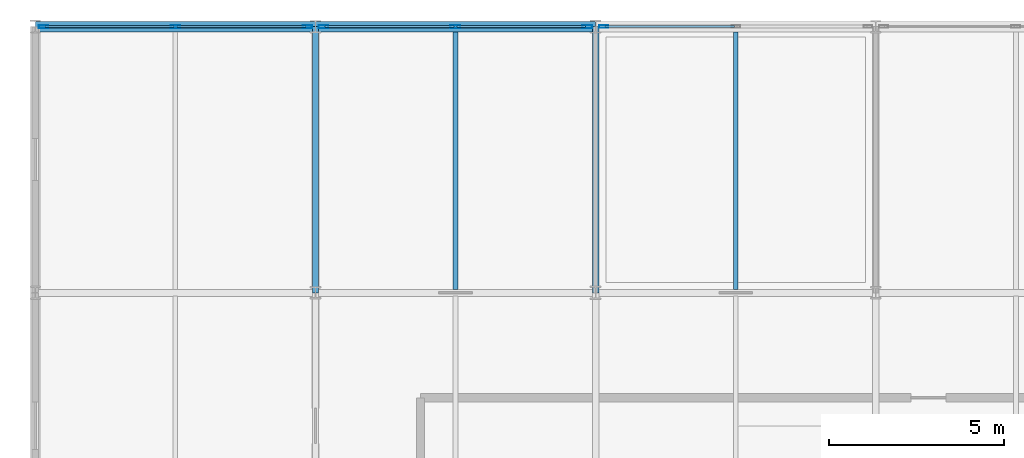
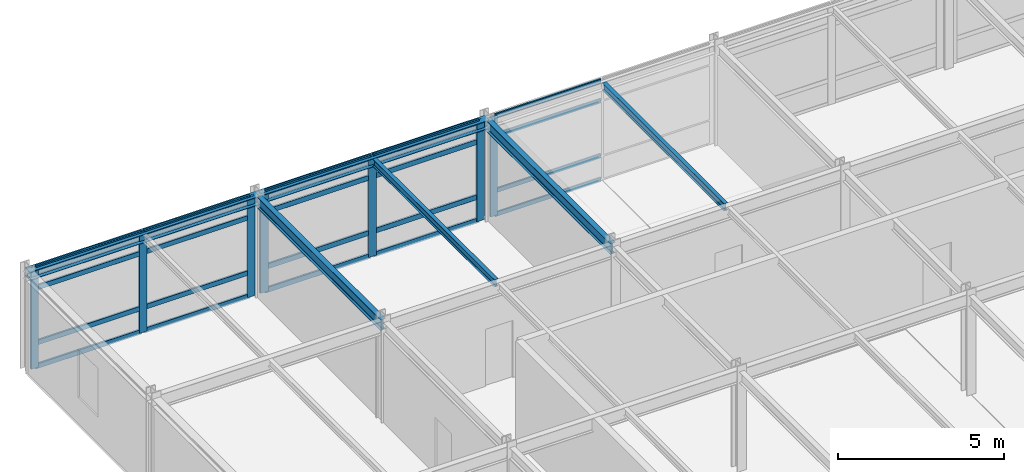
# One storey, part 6 of 15: 27 members, 6 beams, 3 elements without a shape of their own.
"""IFC4 building model written with IfcOpenShell, lengths in metres."""

from ifc_helpers import new_model, si_unit, direction, frame, origin, origin_2d, place, context, subcontext, project, spatial, hollow_rectangle, i_section, extrude, material, layer, layer_set, material_profile, profile_set, type_object, element, aggregate, save


model = new_model("IFC4")

# Units and contexts
model_context = context("Model", 3, precision=1e-05, world=origin(), true_north=direction((0.0, 1.0)))
body_context = subcontext(model_context, "Body", "Model", "MODEL_VIEW")
ifc_project = project(units=[si_unit("LENGTHUNIT", "METRE"), si_unit("AREAUNIT", "SQUARE_METRE"), si_unit("VOLUMEUNIT", "CUBIC_METRE"), si_unit("PLANEANGLEUNIT", "RADIAN"), si_unit("MASSUNIT", "GRAM", prefix="KILO")], contexts=[model_context])

# Site, building, storey
site_placement = place(None, origin())
site = spatial("IfcSite", under=ifc_project, at=site_placement, CompositionType="ELEMENT")
building_placement = place(site_placement, origin())
building = spatial("IfcBuilding", under=site, at=building_placement, Name="Shalkamar Park Central Library", CompositionType="ELEMENT")
storey_placement = place(building_placement, frame((0.0, 0.0, 39.89990234375)))
storey = spatial("IfcBuildingStorey", under=building, at=storey_placement, Name="L10", CompositionType="ELEMENT", Elevation=39.89990234375)

# Beams
ifc_material_1 = material(Name="Steel S355", Category="steel")
ifc_material_profile_1 = material_profile(ifc_material_1, i_section(OverallWidth=0.135009765625, OverallDepth=0.27001953125, WebThickness=0.006591796875, FlangeThickness=0.01025390625, FilletRadius=0.014892578125, at=origin_2d()), Name="IPE 270")
ifc_profile_set_1 = profile_set([ifc_material_profile_1], Name="Steel S355")
beam_type_1 = type_object("IfcBeamType", Name="Composite Floor Joist IPE270", PredefinedType="JOIST", material=ifc_profile_set_1)
for number, where, z_axis, x_axis, name in (
    (1, (177.0, 278.097900390625, 3.545166015625), (0.0, 1.0, 0.0), (-1.0, 0.0, 0.0), "Composite Joist 08/F-1 (L10)"),
    (2, (185.0, 278.097900390625, 3.545166015625), (0.0, 1.0, 0.0), (-1.0, 0.0, 0.0), "Composite Joist 09/F-1 (L10)"),
):
    element("IfcBeam", number, at=place(storey_placement, frame(where, z_axis=z_axis, x_axis=x_axis)), inside=storey, type_object=beam_type_1, Name=name, PredefinedType="JOIST", context=body_context, shape_type="SweptSolid", body=[
        extrude(i_section(OverallWidth=0.135009765625, OverallDepth=0.27001953125, WebThickness=0.006591796875, FlangeThickness=0.01025390625, FilletRadius=0.014892578125, at=origin_2d()), origin(), (0.0, 0.0, 1.0), 7.35400390625),
    ])

# Curtain wall, member
ifc_material_2 = material(Name="Thermally broken aluminium and triple low-e curtain wall", Category="aluminium")
ifc_layer_1 = layer(ifc_material_2, 0.25)
ifc_layer_set_1 = layer_set([ifc_layer_1], Name="UnitisedCurtainWall_79")
curtain_wall_type_1 = type_object("IfcCurtainWallType", Name="Unitised Curtain Wall 79", PredefinedType="USERDEFINED", material=ifc_layer_set_1)
curtain_wall_1_placement = place(storey_placement, origin())
curtain_wall_1 = element("IfcCurtainWall", 3, at=curtain_wall_1_placement, inside=storey, type_object=curtain_wall_type_1, Name="Unitised Curtain Wall CW-L10-121", ObjectType="UNITISED CURTAIN WALL", PredefinedType="USERDEFINED")
ifc_material_3 = material(Name="Aluminium 6060-T66", Category="aluminium")
ifc_material_profile_2 = material_profile(ifc_material_3, hollow_rectangle(XDim=0.074951171875, YDim=0.25, WallThickness=0.00390625, InnerFilletRadius=0.00390625, OuterFilletRadius=0.006103515625, at=origin_2d()), Name="ALU 75x250x4")
ifc_profile_set_2 = profile_set([ifc_material_profile_2], Name="Aluminium 6060-T66")
member_type_1 = type_object("IfcMemberType", Name="Curtain Wall Mullion ALU75x250", PredefinedType="MULLION", material=ifc_profile_set_2)
member_1_placement = place(storey_placement, frame((181.22998046875, 285.60009765625, 0.0), z_axis=(0.0, 0.0, 1.0), x_axis=(0.0, 1.0, 0.0)))
member_1 = element("IfcMember", 4, at=member_1_placement, type_object=member_type_1, Name="CW-79 mullion 1", PredefinedType="MULLION", context=body_context, shape_type="SweptSolid", body=[
    extrude(hollow_rectangle(XDim=0.074951171875, YDim=0.25, WallThickness=0.00390625, InnerFilletRadius=0.00390625, OuterFilletRadius=0.006103515625, at=origin_2d()), origin(), (0.0, 0.0, 1.0), 3.68017578125),
])

# Curtain wall, members
ifc_layer_2 = layer(ifc_material_2, 0.264892578125)
ifc_layer_set_2 = layer_set([ifc_layer_2], Name="UnitisedCurtainWall_77")
curtain_wall_type_2 = type_object("IfcCurtainWallType", Name="Unitised Curtain Wall 77", PredefinedType="USERDEFINED", material=ifc_layer_set_2)
curtain_wall_2_placement = place(storey_placement, origin())
curtain_wall_2 = element("IfcCurtainWall", 5, at=curtain_wall_2_placement, inside=storey, type_object=curtain_wall_type_2, Name="Unitised Curtain Wall CW-L10-119", ObjectType="UNITISED CURTAIN WALL", PredefinedType="USERDEFINED")
ifc_material_profile_3 = material_profile(ifc_material_3, hollow_rectangle(XDim=0.0849609375, YDim=0.264892578125, WallThickness=0.0048828125, InnerFilletRadius=0.0048828125, OuterFilletRadius=0.007568359375, at=origin_2d()), Name="ALU 85x265x5")
ifc_profile_set_3 = profile_set([ifc_material_profile_3], Name="Aluminium 6060-T66")
member_type_2 = type_object("IfcMemberType", Name="Curtain Wall Mullion ALU85x265", PredefinedType="MULLION", material=ifc_profile_set_3)
member_2_placement = place(storey_placement, frame((165.235107421875, 285.60009765625, 0.0), z_axis=(0.0, 0.0, 1.0), x_axis=(0.0, 1.0, 0.0)))
member_2 = element("IfcMember", 6, at=member_2_placement, type_object=member_type_2, Name="CW-77 mullion 1", PredefinedType="MULLION", context=body_context, shape_type="SweptSolid", body=[
    extrude(hollow_rectangle(XDim=0.0849609375, YDim=0.264892578125, WallThickness=0.0048828125, InnerFilletRadius=0.0048828125, OuterFilletRadius=0.007568359375, at=origin_2d()), origin(), (0.0, 0.0, 1.0), 3.68017578125),
])
member_3_placement = place(storey_placement, frame((169.00439453125, 285.60009765625, 0.0), z_axis=(0.0, 0.0, 1.0), x_axis=(0.0, 1.0, 0.0)))
member_3 = element("IfcMember", 7, at=member_3_placement, type_object=member_type_2, Name="CW-77 mullion 2", PredefinedType="MULLION", context=body_context, shape_type="SweptSolid", body=[
    extrude(hollow_rectangle(XDim=0.0849609375, YDim=0.264892578125, WallThickness=0.0048828125, InnerFilletRadius=0.0048828125, OuterFilletRadius=0.007568359375, at=origin_2d()), origin(), (0.0, 0.0, 1.0), 3.68017578125),
])
member_4_placement = place(storey_placement, frame((172.77392578125, 285.60009765625, 0.0), z_axis=(0.0, 0.0, 1.0), x_axis=(0.0, 1.0, 0.0)))
member_4 = element("IfcMember", 8, at=member_4_placement, type_object=member_type_2, Name="CW-77 mullion 3", PredefinedType="MULLION", context=body_context, shape_type="SweptSolid", body=[
    extrude(hollow_rectangle(XDim=0.0849609375, YDim=0.264892578125, WallThickness=0.0048828125, InnerFilletRadius=0.0048828125, OuterFilletRadius=0.007568359375, at=origin_2d()), origin(), (0.0, 0.0, 1.0), 3.68017578125),
])

ifc_layer_3 = layer(ifc_material_2, 0.280029296875)
ifc_layer_set_3 = layer_set([ifc_layer_3], Name="UnitisedCurtainWall_78")
curtain_wall_type_3 = type_object("IfcCurtainWallType", Name="Unitised Curtain Wall 78", PredefinedType="USERDEFINED", material=ifc_layer_set_3)
curtain_wall_3_placement = place(storey_placement, origin())
curtain_wall_3 = element("IfcCurtainWall", 9, at=curtain_wall_3_placement, inside=storey, type_object=curtain_wall_type_3, Name="Unitised Curtain Wall CW-L10-120", ObjectType="UNITISED CURTAIN WALL", PredefinedType="USERDEFINED")
ifc_material_profile_4 = material_profile(ifc_material_3, hollow_rectangle(XDim=0.090087890625, YDim=0.280029296875, WallThickness=0.0048828125, InnerFilletRadius=0.0048828125, OuterFilletRadius=0.007568359375, at=origin_2d()), Name="ALU 90x280x5")
ifc_profile_set_4 = profile_set([ifc_material_profile_4], Name="Aluminium 6060-T66")
member_type_3 = type_object("IfcMemberType", Name="Curtain Wall Mullion ALU90x280", PredefinedType="MULLION", material=ifc_profile_set_4)
member_5_placement = place(storey_placement, frame((173.228515625, 285.60009765625, 0.0), z_axis=(0.0, 0.0, 1.0), x_axis=(0.0, 1.0, 0.0)))
member_5 = element("IfcMember", 10, at=member_5_placement, type_object=member_type_3, Name="CW-78 mullion 1", PredefinedType="MULLION", context=body_context, shape_type="SweptSolid", body=[
    extrude(hollow_rectangle(XDim=0.090087890625, YDim=0.280029296875, WallThickness=0.0048828125, InnerFilletRadius=0.0048828125, OuterFilletRadius=0.007568359375, at=origin_2d()), origin(), (0.0, 0.0, 1.0), 3.68017578125),
])
member_6_placement = place(storey_placement, frame((176.99560546875, 285.60009765625, 0.0), z_axis=(0.0, 0.0, 1.0), x_axis=(0.0, 1.0, 0.0)))
member_6 = element("IfcMember", 11, at=member_6_placement, type_object=member_type_3, Name="CW-78 mullion 2", PredefinedType="MULLION", context=body_context, shape_type="SweptSolid", body=[
    extrude(hollow_rectangle(XDim=0.090087890625, YDim=0.280029296875, WallThickness=0.0048828125, InnerFilletRadius=0.0048828125, OuterFilletRadius=0.007568359375, at=origin_2d()), origin(), (0.0, 0.0, 1.0), 3.68017578125),
])
member_7_placement = place(storey_placement, frame((180.762451171875, 285.60009765625, 0.0), z_axis=(0.0, 0.0, 1.0), x_axis=(0.0, 1.0, 0.0)))
member_7 = element("IfcMember", 12, at=member_7_placement, type_object=member_type_3, Name="CW-78 mullion 3", PredefinedType="MULLION", context=body_context, shape_type="SweptSolid", body=[
    extrude(hollow_rectangle(XDim=0.090087890625, YDim=0.280029296875, WallThickness=0.0048828125, InnerFilletRadius=0.0048828125, OuterFilletRadius=0.007568359375, at=origin_2d()), origin(), (0.0, 0.0, 1.0), 3.68017578125),
])

# Member
ifc_material_profile_5 = material_profile(ifc_material_3, hollow_rectangle(XDim=0.06005859375, YDim=0.159912109375, WallThickness=0.00390625, InnerFilletRadius=0.00390625, OuterFilletRadius=0.006103515625, at=origin_2d()), Name="ALU 60x160x4")
ifc_profile_set_5 = profile_set([ifc_material_profile_5], Name="Aluminium 6060-T66")
member_type_4 = type_object("IfcMemberType", Name="Curtain Wall Transom ALU60x160", PredefinedType="USERDEFINED", material=ifc_profile_set_5)
member_8_placement = place(storey_placement, frame((181.267578125, 285.60009765625, 0.030029296875), z_axis=(1.0, 0.0, 0.0), x_axis=(0.0, 1.0, 0.0)))
member_8 = element("IfcMember", 13, at=member_8_placement, type_object=member_type_4, Name="CW-79 transom 1.1", ObjectType="TRANSOM", PredefinedType="USERDEFINED", context=body_context, shape_type="SweptSolid", body=[
    extrude(hollow_rectangle(XDim=0.06005859375, YDim=0.159912109375, WallThickness=0.00390625, InnerFilletRadius=0.00390625, OuterFilletRadius=0.006103515625, at=origin_2d()), origin(), (0.0, 0.0, 1.0), 3.699462890625),
])

member_9_placement = place(storey_placement, frame((181.267578125, 285.60009765625, 0.900146484375), z_axis=(1.0, 0.0, 0.0), x_axis=(0.0, 1.0, 0.0)))
member_9 = element("IfcMember", 14, at=member_9_placement, type_object=member_type_4, Name="CW-79 transom 1.2", ObjectType="TRANSOM", PredefinedType="USERDEFINED", context=body_context, shape_type="SweptSolid", body=[
    extrude(hollow_rectangle(XDim=0.06005859375, YDim=0.159912109375, WallThickness=0.00390625, InnerFilletRadius=0.00390625, OuterFilletRadius=0.006103515625, at=origin_2d()), origin(), (0.0, 0.0, 1.0), 3.699462890625),
])

member_10_placement = place(storey_placement, frame((181.267578125, 285.60009765625, 2.93017578125), z_axis=(1.0, 0.0, 0.0), x_axis=(0.0, 1.0, 0.0)))
member_10 = element("IfcMember", 15, at=member_10_placement, type_object=member_type_4, Name="CW-79 transom 1.3", ObjectType="TRANSOM", PredefinedType="USERDEFINED", context=body_context, shape_type="SweptSolid", body=[
    extrude(hollow_rectangle(XDim=0.06005859375, YDim=0.159912109375, WallThickness=0.00390625, InnerFilletRadius=0.00390625, OuterFilletRadius=0.006103515625, at=origin_2d()), origin(), (0.0, 0.0, 1.0), 3.699462890625),
])

member_11_placement = place(storey_placement, frame((181.267578125, 285.60009765625, 3.650146484375), z_axis=(1.0, 0.0, 0.0), x_axis=(0.0, 1.0, 0.0)))
member_11 = element("IfcMember", 16, at=member_11_placement, type_object=member_type_4, Name="CW-79 transom 1.4", ObjectType="TRANSOM", PredefinedType="USERDEFINED", context=body_context, shape_type="SweptSolid", body=[
    extrude(hollow_rectangle(XDim=0.06005859375, YDim=0.159912109375, WallThickness=0.00390625, InnerFilletRadius=0.00390625, OuterFilletRadius=0.006103515625, at=origin_2d()), origin(), (0.0, 0.0, 1.0), 3.699462890625),
])

aggregate(curtain_wall_1, [member_1, member_8, member_9, member_10, member_11])

ifc_material_profile_6 = material_profile(ifc_material_3, hollow_rectangle(XDim=0.070068359375, YDim=0.179931640625, WallThickness=0.00439453125, InnerFilletRadius=0.00439453125, OuterFilletRadius=0.0068359375, at=origin_2d()), Name="ALU 70x180x4.5")
ifc_profile_set_6 = profile_set([ifc_material_profile_6], Name="Aluminium 6060-T66")
member_type_5 = type_object("IfcMemberType", Name="Curtain Wall Transom ALU70x180", PredefinedType="USERDEFINED", material=ifc_profile_set_6)
member_12_placement = place(storey_placement, frame((165.277587890625, 285.60009765625, 0.03515625), z_axis=(1.0, 0.0, 0.0), x_axis=(0.0, 1.0, 0.0)))
member_12 = element("IfcMember", 17, at=member_12_placement, type_object=member_type_5, Name="CW-77 transom 1.1", ObjectType="TRANSOM", PredefinedType="USERDEFINED", context=body_context, shape_type="SweptSolid", body=[
    extrude(hollow_rectangle(XDim=0.070068359375, YDim=0.179931640625, WallThickness=0.00439453125, InnerFilletRadius=0.00439453125, OuterFilletRadius=0.0068359375, at=origin_2d()), origin(), (0.0, 0.0, 1.0), 3.684326171875),
])

member_13_placement = place(storey_placement, frame((165.277587890625, 285.60009765625, 0.900146484375), z_axis=(1.0, 0.0, 0.0), x_axis=(0.0, 1.0, 0.0)))
member_13 = element("IfcMember", 18, at=member_13_placement, type_object=member_type_5, Name="CW-77 transom 1.2", ObjectType="TRANSOM", PredefinedType="USERDEFINED", context=body_context, shape_type="SweptSolid", body=[
    extrude(hollow_rectangle(XDim=0.070068359375, YDim=0.179931640625, WallThickness=0.00439453125, InnerFilletRadius=0.00439453125, OuterFilletRadius=0.0068359375, at=origin_2d()), origin(), (0.0, 0.0, 1.0), 3.684326171875),
])

member_14_placement = place(storey_placement, frame((165.277587890625, 285.60009765625, 2.93017578125), z_axis=(1.0, 0.0, 0.0), x_axis=(0.0, 1.0, 0.0)))
member_14 = element("IfcMember", 19, at=member_14_placement, type_object=member_type_5, Name="CW-77 transom 1.3", ObjectType="TRANSOM", PredefinedType="USERDEFINED", context=body_context, shape_type="SweptSolid", body=[
    extrude(hollow_rectangle(XDim=0.070068359375, YDim=0.179931640625, WallThickness=0.00439453125, InnerFilletRadius=0.00439453125, OuterFilletRadius=0.0068359375, at=origin_2d()), origin(), (0.0, 0.0, 1.0), 3.684326171875),
])

member_15_placement = place(storey_placement, frame((165.277587890625, 285.60009765625, 3.64501953125), z_axis=(1.0, 0.0, 0.0), x_axis=(0.0, 1.0, 0.0)))
member_15 = element("IfcMember", 20, at=member_15_placement, type_object=member_type_5, Name="CW-77 transom 1.4", ObjectType="TRANSOM", PredefinedType="USERDEFINED", context=body_context, shape_type="SweptSolid", body=[
    extrude(hollow_rectangle(XDim=0.070068359375, YDim=0.179931640625, WallThickness=0.00439453125, InnerFilletRadius=0.00439453125, OuterFilletRadius=0.0068359375, at=origin_2d()), origin(), (0.0, 0.0, 1.0), 3.684326171875),
])

member_16_placement = place(storey_placement, frame((169.047119140625, 285.60009765625, 0.03515625), z_axis=(1.0, 0.0, 0.0), x_axis=(0.0, 1.0, 0.0)))
member_16 = element("IfcMember", 21, at=member_16_placement, type_object=member_type_5, Name="CW-77 transom 2.1", ObjectType="TRANSOM", PredefinedType="USERDEFINED", context=body_context, shape_type="SweptSolid", body=[
    extrude(hollow_rectangle(XDim=0.070068359375, YDim=0.179931640625, WallThickness=0.00439453125, InnerFilletRadius=0.00439453125, OuterFilletRadius=0.0068359375, at=origin_2d()), origin(), (0.0, 0.0, 1.0), 3.684326171875),
])

member_17_placement = place(storey_placement, frame((169.047119140625, 285.60009765625, 0.900146484375), z_axis=(1.0, 0.0, 0.0), x_axis=(0.0, 1.0, 0.0)))
member_17 = element("IfcMember", 22, at=member_17_placement, type_object=member_type_5, Name="CW-77 transom 2.2", ObjectType="TRANSOM", PredefinedType="USERDEFINED", context=body_context, shape_type="SweptSolid", body=[
    extrude(hollow_rectangle(XDim=0.070068359375, YDim=0.179931640625, WallThickness=0.00439453125, InnerFilletRadius=0.00439453125, OuterFilletRadius=0.0068359375, at=origin_2d()), origin(), (0.0, 0.0, 1.0), 3.684326171875),
])

member_18_placement = place(storey_placement, frame((169.047119140625, 285.60009765625, 2.93017578125), z_axis=(1.0, 0.0, 0.0), x_axis=(0.0, 1.0, 0.0)))
member_18 = element("IfcMember", 23, at=member_18_placement, type_object=member_type_5, Name="CW-77 transom 2.3", ObjectType="TRANSOM", PredefinedType="USERDEFINED", context=body_context, shape_type="SweptSolid", body=[
    extrude(hollow_rectangle(XDim=0.070068359375, YDim=0.179931640625, WallThickness=0.00439453125, InnerFilletRadius=0.00439453125, OuterFilletRadius=0.0068359375, at=origin_2d()), origin(), (0.0, 0.0, 1.0), 3.684326171875),
])

member_19_placement = place(storey_placement, frame((169.047119140625, 285.60009765625, 3.64501953125), z_axis=(1.0, 0.0, 0.0), x_axis=(0.0, 1.0, 0.0)))
member_19 = element("IfcMember", 24, at=member_19_placement, type_object=member_type_5, Name="CW-77 transom 2.4", ObjectType="TRANSOM", PredefinedType="USERDEFINED", context=body_context, shape_type="SweptSolid", body=[
    extrude(hollow_rectangle(XDim=0.070068359375, YDim=0.179931640625, WallThickness=0.00439453125, InnerFilletRadius=0.00439453125, OuterFilletRadius=0.0068359375, at=origin_2d()), origin(), (0.0, 0.0, 1.0), 3.684326171875),
])

aggregate(curtain_wall_2, [member_2, member_3, member_4, member_12, member_13, member_14, member_15, member_16, member_17, member_18, member_19])

ifc_material_profile_7 = material_profile(ifc_material_3, hollow_rectangle(XDim=0.070068359375, YDim=0.18994140625, WallThickness=0.0048828125, InnerFilletRadius=0.0048828125, OuterFilletRadius=0.007568359375, at=origin_2d()), Name="ALU 70x190x5")
ifc_profile_set_7 = profile_set([ifc_material_profile_7], Name="Aluminium 6060-T66")
member_type_6 = type_object("IfcMemberType", Name="Curtain Wall Transom ALU70x190", PredefinedType="USERDEFINED", material=ifc_profile_set_7)
member_20_placement = place(storey_placement, frame((173.2734375, 285.60009765625, 0.03515625), z_axis=(1.0, 0.0, 0.0), x_axis=(0.0, 1.0, 0.0)))
member_20 = element("IfcMember", 25, at=member_20_placement, type_object=member_type_6, Name="CW-78 transom 1.1", ObjectType="TRANSOM", PredefinedType="USERDEFINED", context=body_context, shape_type="SweptSolid", body=[
    extrude(hollow_rectangle(XDim=0.070068359375, YDim=0.18994140625, WallThickness=0.0048828125, InnerFilletRadius=0.0048828125, OuterFilletRadius=0.007568359375, at=origin_2d()), origin(), (0.0, 0.0, 1.0), 3.677001953125),
])

member_21_placement = place(storey_placement, frame((173.2734375, 285.60009765625, 0.900146484375), z_axis=(1.0, 0.0, 0.0), x_axis=(0.0, 1.0, 0.0)))
member_21 = element("IfcMember", 26, at=member_21_placement, type_object=member_type_6, Name="CW-78 transom 1.2", ObjectType="TRANSOM", PredefinedType="USERDEFINED", context=body_context, shape_type="SweptSolid", body=[
    extrude(hollow_rectangle(XDim=0.070068359375, YDim=0.18994140625, WallThickness=0.0048828125, InnerFilletRadius=0.0048828125, OuterFilletRadius=0.007568359375, at=origin_2d()), origin(), (0.0, 0.0, 1.0), 3.677001953125),
])

member_22_placement = place(storey_placement, frame((173.2734375, 285.60009765625, 2.93017578125), z_axis=(1.0, 0.0, 0.0), x_axis=(0.0, 1.0, 0.0)))
member_22 = element("IfcMember", 27, at=member_22_placement, type_object=member_type_6, Name="CW-78 transom 1.3", ObjectType="TRANSOM", PredefinedType="USERDEFINED", context=body_context, shape_type="SweptSolid", body=[
    extrude(hollow_rectangle(XDim=0.070068359375, YDim=0.18994140625, WallThickness=0.0048828125, InnerFilletRadius=0.0048828125, OuterFilletRadius=0.007568359375, at=origin_2d()), origin(), (0.0, 0.0, 1.0), 3.677001953125),
])

member_23_placement = place(storey_placement, frame((173.2734375, 285.60009765625, 3.64501953125), z_axis=(1.0, 0.0, 0.0), x_axis=(0.0, 1.0, 0.0)))
member_23 = element("IfcMember", 28, at=member_23_placement, type_object=member_type_6, Name="CW-78 transom 1.4", ObjectType="TRANSOM", PredefinedType="USERDEFINED", context=body_context, shape_type="SweptSolid", body=[
    extrude(hollow_rectangle(XDim=0.070068359375, YDim=0.18994140625, WallThickness=0.0048828125, InnerFilletRadius=0.0048828125, OuterFilletRadius=0.007568359375, at=origin_2d()), origin(), (0.0, 0.0, 1.0), 3.677001953125),
])

member_24_placement = place(storey_placement, frame((177.04052734375, 285.60009765625, 0.03515625), z_axis=(1.0, 0.0, 0.0), x_axis=(0.0, 1.0, 0.0)))
member_24 = element("IfcMember", 29, at=member_24_placement, type_object=member_type_6, Name="CW-78 transom 2.1", ObjectType="TRANSOM", PredefinedType="USERDEFINED", context=body_context, shape_type="SweptSolid", body=[
    extrude(hollow_rectangle(XDim=0.070068359375, YDim=0.18994140625, WallThickness=0.0048828125, InnerFilletRadius=0.0048828125, OuterFilletRadius=0.007568359375, at=origin_2d()), origin(), (0.0, 0.0, 1.0), 3.677001953125),
])

member_25_placement = place(storey_placement, frame((177.04052734375, 285.60009765625, 0.900146484375), z_axis=(1.0, 0.0, 0.0), x_axis=(0.0, 1.0, 0.0)))
member_25 = element("IfcMember", 30, at=member_25_placement, type_object=member_type_6, Name="CW-78 transom 2.2", ObjectType="TRANSOM", PredefinedType="USERDEFINED", context=body_context, shape_type="SweptSolid", body=[
    extrude(hollow_rectangle(XDim=0.070068359375, YDim=0.18994140625, WallThickness=0.0048828125, InnerFilletRadius=0.0048828125, OuterFilletRadius=0.007568359375, at=origin_2d()), origin(), (0.0, 0.0, 1.0), 3.677001953125),
])

member_26_placement = place(storey_placement, frame((177.04052734375, 285.60009765625, 2.93017578125), z_axis=(1.0, 0.0, 0.0), x_axis=(0.0, 1.0, 0.0)))
member_26 = element("IfcMember", 31, at=member_26_placement, type_object=member_type_6, Name="CW-78 transom 2.3", ObjectType="TRANSOM", PredefinedType="USERDEFINED", context=body_context, shape_type="SweptSolid", body=[
    extrude(hollow_rectangle(XDim=0.070068359375, YDim=0.18994140625, WallThickness=0.0048828125, InnerFilletRadius=0.0048828125, OuterFilletRadius=0.007568359375, at=origin_2d()), origin(), (0.0, 0.0, 1.0), 3.677001953125),
])

member_27_placement = place(storey_placement, frame((177.04052734375, 285.60009765625, 3.64501953125), z_axis=(1.0, 0.0, 0.0), x_axis=(0.0, 1.0, 0.0)))
member_27 = element("IfcMember", 32, at=member_27_placement, type_object=member_type_6, Name="CW-78 transom 2.4", ObjectType="TRANSOM", PredefinedType="USERDEFINED", context=body_context, shape_type="SweptSolid", body=[
    extrude(hollow_rectangle(XDim=0.070068359375, YDim=0.18994140625, WallThickness=0.0048828125, InnerFilletRadius=0.0048828125, OuterFilletRadius=0.007568359375, at=origin_2d()), origin(), (0.0, 0.0, 1.0), 3.677001953125),
])

aggregate(curtain_wall_3, [member_5, member_6, member_7, member_20, member_21, member_22, member_23, member_24, member_25, member_26, member_27])

# Beams
ifc_material_profile_8 = material_profile(ifc_material_1, i_section(OverallWidth=0.300048828125, OverallDepth=0.31005859375, WebThickness=0.009033203125, FlangeThickness=0.015380859375, FilletRadius=0.027099609375, at=origin_2d()), Name="HEA 320")
ifc_profile_set_8 = profile_set([ifc_material_profile_8], Name="Steel S355")
beam_type_2 = type_object("IfcBeamType", Name="Perimeter Spandrel Beam HEA320", PredefinedType="SPANDREL", material=ifc_profile_set_8)
for number, where, z_axis, x_axis, name in (
    (33, (165.0, 285.60009765625, 3.525146484375), (1.0, 0.0, 0.0), (0.0, 1.0, 0.0), "Beam G:07-08 (L10)"),
    (34, (173.0, 285.60009765625, 3.525146484375), (1.0, 0.0, 0.0), (0.0, 1.0, 0.0), "Beam G:08-09 (L10)"),
):
    element("IfcBeam", number, at=place(storey_placement, frame(where, z_axis=z_axis, x_axis=x_axis)), inside=storey, type_object=beam_type_2, Name=name, PredefinedType="SPANDREL", context=body_context, shape_type="SweptSolid", body=[
        extrude(i_section(OverallWidth=0.300048828125, OverallDepth=0.31005859375, WebThickness=0.009033203125, FlangeThickness=0.015380859375, FilletRadius=0.027099609375, at=origin_2d()), origin(), (0.0, 0.0, 1.0), 8.0),
    ])
ifc_material_profile_9 = material_profile(ifc_material_1, i_section(OverallWidth=0.179931640625, OverallDepth=0.39990234375, WebThickness=0.008544921875, FlangeThickness=0.013427734375, FilletRadius=0.02099609375, at=origin_2d()), Name="IPE 400")
ifc_profile_set_9 = profile_set([ifc_material_profile_9], Name="Steel S355")
beam_type_3 = type_object("IfcBeamType", Name="Primary Girder IPE400", PredefinedType="BEAM", material=ifc_profile_set_9)
for number, where, z_axis, x_axis, name in (
    (35, (173.0, 278.0, 3.47998046875), (0.0, 1.0, 0.0), (-1.0, 0.0, 0.0), "Beam 08:F-G (L10)"),
    (36, (181.0, 278.0, 3.47998046875), (0.0, 1.0, 0.0), (-1.0, 0.0, 0.0), "Beam 09:F-G (L10)"),
):
    element("IfcBeam", number, at=place(storey_placement, frame(where, z_axis=z_axis, x_axis=x_axis)), inside=storey, type_object=beam_type_3, Name=name, PredefinedType="BEAM", context=body_context, shape_type="SweptSolid", body=[
        extrude(i_section(OverallWidth=0.179931640625, OverallDepth=0.39990234375, WebThickness=0.008544921875, FlangeThickness=0.013427734375, FilletRadius=0.02099609375, at=origin_2d()), origin(), (0.0, 0.0, 1.0), 7.60009765625),
    ])

save(model, "model.ifc")
